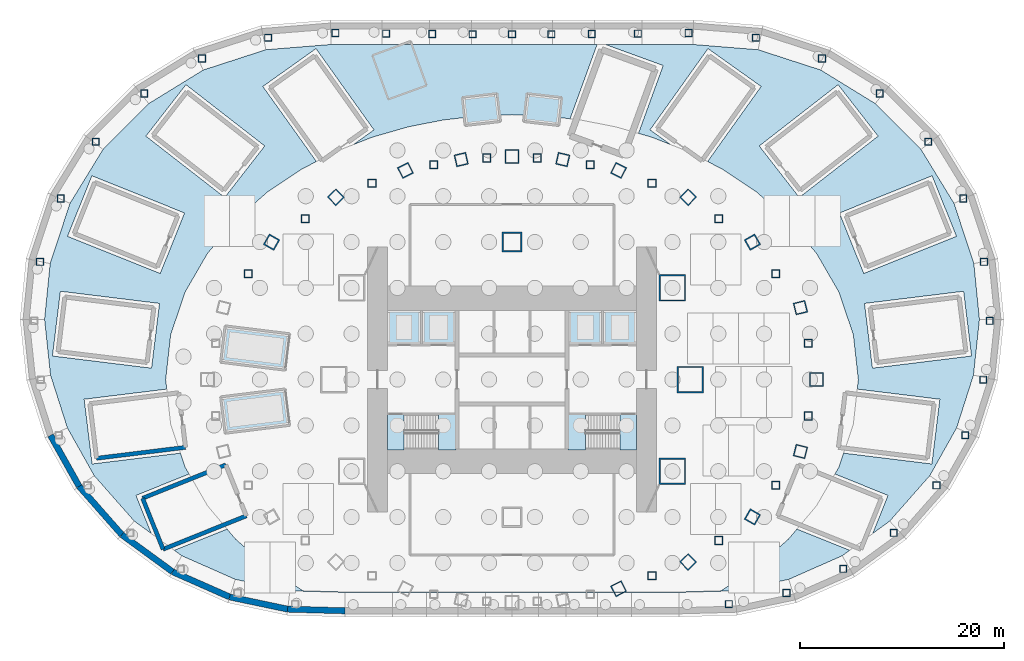
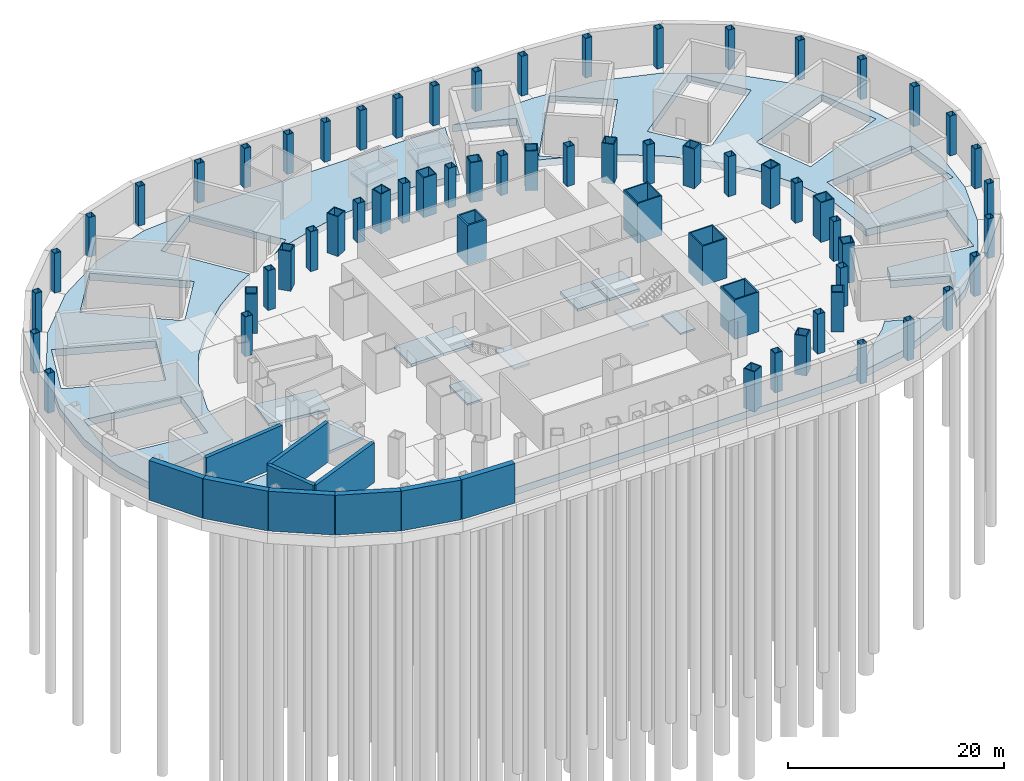
# One storey, part 3 of 11: 63 columns, 15 slabs, 10 walls, 2 elements without a shape of their own.
"""IFC4 building model written with IfcOpenShell, lengths in metres."""

from ifc_helpers import new_model, si_unit, direction, frame, frame_2d, origin, origin_2d, place, context, subcontext, project, spatial, polyline, rectangle, hollow_rectangle, outline, extrude, material, layer, layer_set, material_profile, profile_set, type_object, element, aggregate, save


model = new_model("IFC4")

# Units and contexts
model_context = context("Model", 3, precision=1e-05, world=origin(), true_north=direction((0.0, 1.0)))
body_context = subcontext(model_context, "Body", "Model", "MODEL_VIEW")
ifc_project = project(units=[si_unit("LENGTHUNIT", "METRE"), si_unit("AREAUNIT", "SQUARE_METRE"), si_unit("VOLUMEUNIT", "CUBIC_METRE"), si_unit("PLANEANGLEUNIT", "RADIAN"), si_unit("MASSUNIT", "GRAM", prefix="KILO")], contexts=[model_context])

# Site, building, storey
site_placement = place(None, origin())
site = spatial("IfcSite", under=ifc_project, at=site_placement, CompositionType="ELEMENT")
building_placement = place(site_placement, origin())
building = spatial("IfcBuilding", under=site, at=building_placement, Name="Lantaw Convention Tower", CompositionType="ELEMENT")
storey_placement = place(building_placement, frame((0.0, 0.0, -10.0)))
storey = spatial("IfcBuildingStorey", under=building, at=storey_placement, Name="B2", CompositionType="ELEMENT", Elevation=-10.0)

# Columns
ifc_material_1 = material(Name="Steel EN 10025-3 S460N", Category="steel")
ifc_material_profile_1 = material_profile(ifc_material_1, hollow_rectangle(XDim=2.0, YDim=2.0, WallThickness=0.169921875, at=origin_2d()), Name="BOX2000X170")
ifc_material_2 = material(Name="Concrete C60/75", Category="concrete")
ifc_material_profile_2 = material_profile(ifc_material_2, rectangle(XDim=1.659912109375, YDim=1.659912109375, at=origin_2d()), Name="Concrete fill of BOX2000X170")
ifc_profile_set_1 = profile_set([ifc_material_profile_1, ifc_material_profile_2], Name="Steel EN 10025-3 S460N")
column_type_1 = type_object("IfcColumnType", Name="Column MC BOX2000X170", PredefinedType="COLUMN", material=ifc_profile_set_1)
column_placement = place(storey_placement, frame((0.0, 13.5, 0.0), z_axis=(0.0, 0.0, 1.0), x_axis=(1.0, 0.0, 0.0)))
element("IfcColumn", 1, at=column_placement, inside=storey, type_object=column_type_1, Name="Mega column M3", PredefinedType="COLUMN", context=body_context, shape_type="SweptSolid", body=[
    extrude(hollow_rectangle(XDim=2.0, YDim=2.0, WallThickness=0.169921875, at=origin_2d()), origin(), (0.0, 0.0, 1.0), 4.5),
])
ifc_material_profile_3 = material_profile(ifc_material_1, hollow_rectangle(XDim=2.60009765625, YDim=2.60009765625, WallThickness=0.1298828125, at=origin_2d()), Name="BOX2600X130")
ifc_material_profile_4 = material_profile(ifc_material_2, rectangle(XDim=2.340087890625, YDim=2.340087890625, at=origin_2d()), Name="Concrete fill of BOX2600X130")
ifc_profile_set_2 = profile_set([ifc_material_profile_3, ifc_material_profile_4], Name="Steel EN 10025-3 S460N")
column_type_2 = type_object("IfcColumnType", Name="Column MC BOX2600X130", PredefinedType="COLUMN", material=ifc_profile_set_2)
for number, where, z_axis, x_axis, name in (
    (2, (17.5, 0.0, 0.0), (0.0, 0.0, 1.0), (1.0, 0.0, 0.0), "Mega column M1"),
    (3, (15.75, 9.0, 0.0), (0.0, 0.0, 1.0), (1.0, 0.0, 0.0), "Mega column M2"),
    (4, (15.75, -9.0, 0.0), (0.0, 0.0, 1.0), (1.0, 0.0, 0.0), "Mega column M8"),
):
    element("IfcColumn", number, at=place(storey_placement, frame(where, z_axis=z_axis, x_axis=x_axis)), inside=storey, type_object=column_type_2, Name=name, PredefinedType="COLUMN", context=body_context, shape_type="SweptSolid", body=[
        extrude(hollow_rectangle(XDim=2.60009765625, YDim=2.60009765625, WallThickness=0.1298828125, at=origin_2d()), origin(), (0.0, 0.0, 1.0), 4.5),
    ])
ifc_material_profile_5 = material_profile(ifc_material_1, hollow_rectangle(XDim=1.199951171875, YDim=1.199951171875, WallThickness=0.10009765625, at=origin_2d()), Name="BOX1200X100")
ifc_material_profile_6 = material_profile(ifc_material_2, rectangle(XDim=1.0, YDim=1.0, at=origin_2d()), Name="Concrete fill of BOX1200X100")
ifc_profile_set_3 = profile_set([ifc_material_profile_5, ifc_material_profile_6], Name="Steel EN 10025-3 S460N")
column_type_3 = type_object("IfcColumnType", Name="Column PC BOX1200X100", PredefinedType="COLUMN", material=ifc_profile_set_3)
for number, where, z_axis, x_axis, name in (
    (5, (28.31787109375, 7.060302734375, 0.0), (0.0, 0.0, 1.0), (0.970295726276, 0.2419218956, 0.0), "Perimeter column P2"),
    (6, (17.290771484375, 17.9052734375, 0.0), (0.0, 0.0, 1.0), (0.694658370459, 0.719339800339, 0.0), "Perimeter column P4"),
    (7, (10.462646484375, 20.533935546875, 0.0), (0.0, 0.0, 1.0), (0.45399049974, 0.891006524188, 0.0), "Perimeter column P5"),
    (8, (4.986328125, 21.59814453125, 0.0), (0.0, 0.0, 1.0), (0.224951054344, 0.974370064785, 0.0), "Perimeter column P6"),
    (9, (-4.986328125, 21.59814453125, 0.0), (0.0, 0.0, 1.0), (0.974370064785, 0.224951054344, 0.0), "Perimeter column P8"),
    (10, (-10.462646484375, 20.533935546875, 0.0), (0.0, 0.0, 1.0), (0.891006524188, 0.45399049974, 0.0), "Perimeter column P9"),
    (11, (-17.290771484375, 17.9052734375, 0.0), (0.0, 0.0, 1.0), (0.719339800339, 0.694658370459, 0.0), "Perimeter column P10"),
    (12, (10.462646484375, -20.533935546875, 0.0), (0.0, 0.0, 1.0), (0.891006524188, 0.45399049974, 0.0), "Perimeter column P21"),
    (13, (17.290771484375, -17.9052734375, 0.0), (0.0, 0.0, 1.0), (0.719339800339, 0.694658370459, 0.0), "Perimeter column P22"),
    (14, (28.31787109375, -7.060302734375, 0.0), (0.0, 0.0, 1.0), (0.2419218956, 0.970295726276, 0.0), "Perimeter column P24"),
):
    element("IfcColumn", number, at=place(storey_placement, frame(where, z_axis=z_axis, x_axis=x_axis)), inside=storey, type_object=column_type_3, Name=name, PredefinedType="COLUMN", context=body_context, shape_type="SweptSolid", body=[
        extrude(hollow_rectangle(XDim=1.199951171875, YDim=1.199951171875, WallThickness=0.10009765625, at=origin_2d()), origin(), (0.0, 0.0, 1.0), 4.5),
    ])
ifc_material_profile_7 = material_profile(ifc_material_1, hollow_rectangle(XDim=1.199951171875, YDim=1.199951171875, WallThickness=0.1201171875, at=origin_2d()), Name="BOX1200X120")
ifc_material_profile_8 = material_profile(ifc_material_2, rectangle(XDim=0.9599609375, YDim=0.9599609375, at=origin_2d()), Name="Concrete fill of BOX1200X120")
ifc_profile_set_4 = profile_set([ifc_material_profile_7, ifc_material_profile_8], Name="Steel EN 10025-3 S460N")
column_type_4 = type_object("IfcColumnType", Name="Column PC BOX1200X120", PredefinedType="COLUMN", material=ifc_profile_set_4)
for number, where, z_axis, x_axis, name in (
    (15, (23.60498046875, 13.488525390625, 0.0), (0.0, 0.0, 1.0), (0.86824298017, 0.496139221777, 0.0), "Perimeter column P3"),
    (16, (-23.60498046875, 13.488525390625, 0.0), (0.0, 0.0, 1.0), (0.496139221777, 0.86824298017, 0.0), "Perimeter column P11"),
    (17, (23.60498046875, -13.488525390625, 0.0), (0.0, 0.0, 1.0), (0.496139221777, 0.86824298017, 0.0), "Perimeter column P23"),
):
    element("IfcColumn", number, at=place(storey_placement, frame(where, z_axis=z_axis, x_axis=x_axis)), inside=storey, type_object=column_type_4, Name=name, PredefinedType="COLUMN", context=body_context, shape_type="SweptSolid", body=[
        extrude(hollow_rectangle(XDim=1.199951171875, YDim=1.199951171875, WallThickness=0.1201171875, at=origin_2d()), origin(), (0.0, 0.0, 1.0), 4.5),
    ])
ifc_material_profile_9 = material_profile(ifc_material_1, hollow_rectangle(XDim=1.39990234375, YDim=1.39990234375, WallThickness=0.10009765625, at=origin_2d()), Name="BOX1400X100")
ifc_material_profile_10 = material_profile(ifc_material_2, rectangle(XDim=1.199951171875, YDim=1.199951171875, at=origin_2d()), Name="Concrete fill of BOX1400X100")
ifc_profile_set_5 = profile_set([ifc_material_profile_9, ifc_material_profile_10], Name="Steel EN 10025-3 S460N")
column_type_5 = type_object("IfcColumnType", Name="Column PC BOX1400X100", PredefinedType="COLUMN", material=ifc_profile_set_5)
for number, where, z_axis, x_axis, name in (
    (18, (29.89990234375, 0.0, 0.0), (0.0, 0.0, 1.0), (1.0, 0.0, 0.0), "Perimeter column P1"),
    (19, (0.0, 21.89990234375, 0.0), (0.0, 0.0, 1.0), (1.0, 0.0, 0.0), "Perimeter column P7"),
):
    element("IfcColumn", number, at=place(storey_placement, frame(where, z_axis=z_axis, x_axis=x_axis)), inside=storey, type_object=column_type_5, Name=name, PredefinedType="COLUMN", context=body_context, shape_type="SweptSolid", body=[
        extrude(hollow_rectangle(XDim=1.39990234375, YDim=1.39990234375, WallThickness=0.10009765625, at=origin_2d()), origin(), (0.0, 0.0, 1.0), 4.5),
    ])
ifc_material_3 = material(Name="Steel ASTM A572 Grade 50", Category="steel")
ifc_material_profile_11 = material_profile(ifc_material_3, hollow_rectangle(XDim=0.800048828125, YDim=0.800048828125, WallThickness=0.050048828125, at=origin_2d()), Name="BOX800X50")
ifc_profile_set_6 = profile_set([ifc_material_profile_11], Name="Steel ASTM A572 Grade 50")
column_type_6 = type_object("IfcColumnType", Name="Column QC BOX800X50", PredefinedType="COLUMN", material=ifc_profile_set_6)
for number, where, z_axis, x_axis, name in (
    (20, (29.099365234375, 3.572998046875, 0.0), (0.0, 0.0, 1.0), (1.0, 0.0, 0.0), "Podium ring column Q1"),
    (21, (25.8779296875, 10.388427734375, 0.0), (0.0, 0.0, 1.0), (1.0, 0.0, 0.0), "Podium ring column Q2"),
    (22, (20.30859375, 15.794189453125, 0.0), (0.0, 0.0, 1.0), (1.0, 0.0, 0.0), "Podium ring column Q3"),
    (23, (13.745361328125, 19.270263671875, 0.0), (0.0, 0.0, 1.0), (1.0, 0.0, 0.0), "Podium ring column Q4"),
    (24, (7.671142578125, 21.076416015625, 0.0), (0.0, 0.0, 1.0), (1.0, 0.0, 0.0), "Podium ring column Q5"),
    (25, (2.47802734375, 21.75, 0.0), (0.0, 0.0, 1.0), (1.0, 0.0, 0.0), "Podium ring column Q6"),
    (26, (-2.47802734375, 21.75, 0.0), (0.0, 0.0, 1.0), (1.0, 0.0, 0.0), "Podium ring column Q7"),
    (27, (-7.671142578125, 21.076416015625, 0.0), (0.0, 0.0, 1.0), (1.0, 0.0, 0.0), "Podium ring column Q8"),
    (28, (-13.745361328125, 19.270263671875, 0.0), (0.0, 0.0, 1.0), (1.0, 0.0, 0.0), "Podium ring column Q9"),
    (29, (-20.30859375, 15.794189453125, 0.0), (0.0, 0.0, 1.0), (1.0, 0.0, 0.0), "Podium ring column Q10"),
    (30, (-25.8779296875, 10.388427734375, 0.0), (0.0, 0.0, 1.0), (1.0, 0.0, 0.0), "Podium ring column Q11"),
    (31, (13.745361328125, -19.270263671875, 0.0), (0.0, 0.0, 1.0), (1.0, 0.0, 0.0), "Podium ring column Q21"),
    (32, (20.308837890625, -15.794189453125, 0.0), (0.0, 0.0, 1.0), (1.0, 0.0, 0.0), "Podium ring column Q22"),
    (33, (25.8779296875, -10.388427734375, 0.0), (0.0, 0.0, 1.0), (1.0, 0.0, 0.0), "Podium ring column Q23"),
    (34, (29.099365234375, -3.572998046875, 0.0), (0.0, 0.0, 1.0), (1.0, 0.0, 0.0), "Podium ring column Q24"),
):
    element("IfcColumn", number, at=place(storey_placement, frame(where, z_axis=z_axis, x_axis=x_axis)), inside=storey, type_object=column_type_6, Name=name, PredefinedType="COLUMN", context=body_context, shape_type="SweptSolid", body=[
        extrude(hollow_rectangle(XDim=0.800048828125, YDim=0.800048828125, WallThickness=0.050048828125, at=origin_2d()), origin(), (0.0, 0.0, 1.0), 4.5),
    ])
ifc_material_profile_12 = material_profile(ifc_material_3, hollow_rectangle(XDim=0.699951171875, YDim=0.699951171875, WallThickness=0.0400390625, at=origin_2d()), Name="BOX700X40")
ifc_profile_set_7 = profile_set([ifc_material_profile_12], Name="Steel ASTM A572 Grade 50")
column_type_7 = type_object("IfcColumnType", Name="Column RC BOX700X40", PredefinedType="COLUMN", material=ifc_profile_set_7)
for number, where, z_axis, x_axis, name in (
    (35, (46.907958984375, 5.759521484375, 0.0), (0.0, 0.0, 1.0), (1.0, 0.0, 0.0), "Podium column B00"),
    (36, (44.29248046875, 17.78076171875, 0.0), (0.0, 0.0, 1.0), (1.0, 0.0, 0.0), "Podium column B01"),
    (37, (36.107666015625, 28.081298828125, 0.0), (0.0, 0.0, 1.0), (1.0, 0.0, 0.0), "Podium column B02"),
    (38, (23.940185546875, 33.562744140625, 0.0), (0.0, 0.0, 1.0), (1.0, 0.0, 0.0), "Podium column B03"),
    (39, (12.36279296875, 33.96630859375, 0.0), (0.0, 0.0, 1.0), (1.0, 0.0, 0.0), "Podium column B04"),
    (40, (3.86328125, 33.906982421875, 0.0), (0.0, 0.0, 1.0), (1.0, 0.0, 0.0), "Podium column B05"),
    (41, (-3.86328125, 33.906982421875, 0.0), (0.0, 0.0, 1.0), (1.0, 0.0, 0.0), "Podium column B06"),
    (42, (-12.36279296875, 33.96630859375, 0.0), (0.0, 0.0, 1.0), (1.0, 0.0, 0.0), "Podium column B07"),
    (43, (-23.940185546875, 33.562744140625, 0.0), (0.0, 0.0, 1.0), (1.0, 0.0, 0.0), "Podium column B08"),
    (44, (-36.107666015625, 28.081298828125, 0.0), (0.0, 0.0, 1.0), (1.0, 0.0, 0.0), "Podium column B09"),
    (45, (-44.29248046875, 17.78076171875, 0.0), (0.0, 0.0, 1.0), (1.0, 0.0, 0.0), "Podium column B10"),
    (46, (26.94287109375, -20.95361328125, 0.0), (0.0, 0.0, 1.0), (1.0, 0.0, 0.0), "Podium column B21"),
    (47, (37.486572265625, -15.048583984375, 0.0), (0.0, 0.0, 1.0), (1.0, 0.0, 0.0), "Podium column B22"),
    (48, (44.488525390625, -5.46240234375, 0.0), (0.0, 0.0, 1.0), (1.0, 0.0, 0.0), "Podium column B23"),
    (49, (46.2724609375, 0.0, 0.0), (0.0, 0.0, 1.0), (1.0, 0.0, 0.0), "Podium column R00"),
    (50, (46.342529296875, 11.554443359375, 0.0), (0.0, 0.0, 1.0), (1.0, 0.0, 0.0), "Podium column R01"),
    (51, (40.864013671875, 23.350830078125, 0.0), (0.0, 0.0, 1.0), (1.0, 0.0, 0.0), "Podium column R02"),
    (52, (30.43603515625, 31.517578125, 0.0), (0.0, 0.0, 1.0), (1.0, 0.0, 0.0), "Podium column R03"),
    (53, (17.333984375, 34.019775390625, 0.0), (0.0, 0.0, 1.0), (1.0, 0.0, 0.0), "Podium column R04"),
    (54, (7.8330078125, 33.92822265625, 0.0), (0.0, 0.0, 1.0), (1.0, 0.0, 0.0), "Podium column R05"),
    (55, (0.0, 33.89990234375, 0.0), (0.0, 0.0, 1.0), (1.0, 0.0, 0.0), "Podium column R06"),
    (56, (-7.8330078125, 33.92822265625, 0.0), (0.0, 0.0, 1.0), (1.0, 0.0, 0.0), "Podium column R07"),
    (57, (-17.333984375, 34.019775390625, 0.0), (0.0, 0.0, 1.0), (1.0, 0.0, 0.0), "Podium column R08"),
    (58, (-30.43603515625, 31.517578125, 0.0), (0.0, 0.0, 1.0), (1.0, 0.0, 0.0), "Podium column R09"),
    (59, (-40.864013671875, 23.350830078125, 0.0), (0.0, 0.0, 1.0), (1.0, 0.0, 0.0), "Podium column R10"),
    (60, (-46.342529296875, 11.554443359375, 0.0), (0.0, 0.0, 1.0), (1.0, 0.0, 0.0), "Podium column R11"),
    (61, (21.290771484375, -22.04736328125, 0.0), (0.0, 0.0, 1.0), (1.0, 0.0, 0.0), "Podium column R21"),
    (62, (32.5205078125, -18.5830078125, 0.0), (0.0, 0.0, 1.0), (1.0, 0.0, 0.0), "Podium column R22"),
    (63, (41.67236328125, -10.39013671875, 0.0), (0.0, 0.0, 1.0), (1.0, 0.0, 0.0), "Podium column R23"),
):
    element("IfcColumn", number, at=place(storey_placement, frame(where, z_axis=z_axis, x_axis=x_axis)), inside=storey, type_object=column_type_7, Name=name, PredefinedType="COLUMN", context=body_context, shape_type="SweptSolid", body=[
        extrude(hollow_rectangle(XDim=0.699951171875, YDim=0.699951171875, WallThickness=0.0400390625, at=origin_2d()), origin(), (0.0, 0.0, 1.0), 4.5),
    ])

# Slabs
ifc_material_4 = material(Name="Concrete C40/50", Category="concrete")
ifc_layer_1 = layer(ifc_material_4, 0.800048828125)
ifc_layer_set_1 = layer_set([ifc_layer_1], Name="Base slab 800")
slab_type_1 = type_object("IfcSlabType", Name="Base slab 800", PredefinedType="BASESLAB", material=ifc_layer_set_1)
slab_1_placement = place(storey_placement, frame((0.0, 0.0, -0.800048828125)))
element("IfcSlab", 64, at=slab_1_placement, inside=storey, type_object=slab_type_1, Name="Basement base slab", PredefinedType="BASESLAB", context=body_context, shape_type="SweptSolid", body=[
    extrude(outline(polyline([(-43.645263671875, -4.753662109375), (-41.017333984375, -9.434326171875), (-37.083984375, -13.8974609375), (-35.41162109375, -15.1171875), (-36.91552734375, -11.37109375), (-31.695068359375, -9.275390625), (-32.087158203125, -8.59765625), (-32.55419921875, -7.22119140625), (-41.22021484375, -8.28515625), (-42.000244140625, -1.932861328125), (-33.895263671875, -0.937744140625), (-34.0, 0.0), (-33.507080078125, 4.411376953125), (-32.087158203125, 8.59765625), (-29.89599609375, 12.38330078125), (-27.134765625, 15.666259765625), (-24.00048828125, 18.416259765625), (-20.6533203125, 20.6533203125), (-19.196533203125, 21.402099609375), (-24.454833984375, 28.773681640625), (-19.244384765625, 32.490234375), (-13.553466796875, 24.511962890625), (-15.59521484375, 23.0556640625), (-13.732177734375, 23.784912109375), (-10.266845703125, 24.786376953125), (-6.824951171875, 25.470703125), (-3.40576171875, 25.869140625), (0.0, 26.0), (3.40576171875, 25.869140625), (5.7001953125, 25.601806640625), (8.3564453125, 32.89990234375), (8.080322265625, 32.89990234375), (3.98779296875, 32.89990234375), (0.0, 32.89990234375), (-3.98779296875, 32.89990234375), (-8.080322265625, 32.89990234375), (-12.739013671875, 32.89990234375), (-17.749267578125, 32.89990234375), (-24.1650390625, 32.384765625), (-30.3134765625, 30.388671875), (-35.6640625, 27.09814453125), (-40.1572265625, 22.58935546875), (-43.39501953125, 17.302001953125), (-45.343017578125, 11.383056640625), (-45.888671875, 5.90087890625), (-45.30712890625, 0.435791015625), (-43.645263671875, -4.753662109375)]), holes=[polyline([(-28.205078125, 17.88134765625), (-24.27587890625, 22.933349609375), (-32.011962890625, 28.94970703125), (-35.94091796875, 23.897705078125), (-28.205078125, 17.88134765625)]), polyline([(-43.628662109375, 14.066162109375), (-34.533935546875, 10.4150390625), (-32.149658203125, 16.3544921875), (-41.244384765625, 20.00537109375), (-43.628662109375, 14.066162109375)]), polyline([(-44.33447265625, 8.667724609375), (-45.114501953125, 2.3154296875), (-35.387451171875, 1.12109375), (-34.607421875, 7.473388671875), (-44.33447265625, 8.667724609375)])]), origin(), (0.0, 0.0, 1.0), 0.800048828125),
])
slab_2_placement = place(storey_placement, frame((0.0, 0.0, -0.800048828125)))
element("IfcSlab", 65, at=slab_2_placement, inside=storey, type_object=slab_type_1, Name="Basement base slab", PredefinedType="BASESLAB", context=body_context, shape_type="SweptSolid", body=[
    extrude(outline(polyline([(32.55419921875, -7.22119140625), (32.087158203125, -8.59765625), (31.695068359375, -9.275390625), (36.91552734375, -11.37109375), (35.41162109375, -15.1171875), (37.083984375, -13.897216796875), (41.017333984375, -9.434326171875), (43.645263671875, -4.753662109375), (45.30712890625, 0.435791015625), (45.888671875, 5.90087890625), (45.343017578125, 11.383056640625), (43.39501953125, 17.302001953125), (40.1572265625, 22.58935546875), (35.6640625, 27.09814453125), (30.3134765625, 30.388671875), (24.1650390625, 32.384765625), (17.749267578125, 32.89990234375), (12.739013671875, 32.89990234375), (9.152587890625, 32.89990234375), (14.83935546875, 30.830078125), (12.413818359375, 24.166015625), (13.732177734375, 23.784912109375), (15.59521484375, 23.0556640625), (13.553466796875, 24.511962890625), (19.244384765625, 32.490234375), (24.454833984375, 28.773681640625), (19.196533203125, 21.402099609375), (20.6533203125, 20.6533203125), (24.00048828125, 18.416259765625), (27.134765625, 15.666259765625), (29.89599609375, 12.38330078125), (32.087158203125, 8.59765625), (33.507080078125, 4.411376953125), (34.0, 0.0), (33.895263671875, -0.937744140625), (42.000244140625, -1.932861328125), (41.22021484375, -8.28515625), (32.55419921875, -7.22119140625)]), holes=[polyline([(45.114501953125, 2.3154296875), (44.33447265625, 8.667724609375), (34.607421875, 7.473388671875), (35.387451171875, 1.12109375), (45.114501953125, 2.3154296875)]), polyline([(34.533935546875, 10.4150390625), (43.628662109375, 14.066162109375), (41.244384765625, 20.00537109375), (32.149658203125, 16.3544921875), (34.533935546875, 10.4150390625)]), polyline([(24.27587890625, 22.933349609375), (28.205078125, 17.88134765625), (35.94091796875, 23.897705078125), (32.011962890625, 28.94970703125), (24.27587890625, 22.933349609375)])]), origin(), (0.0, 0.0, 1.0), 0.800048828125),
])
slab_3_placement = place(storey_placement, frame((0.0, 0.0, -0.800048828125)))
element("IfcSlab", 66, at=slab_3_placement, inside=storey, type_object=slab_type_1, Name="Basement base slab", PredefinedType="BASESLAB", context=body_context, shape_type="SweptSolid", body=[
    extrude(outline(polyline([(-11.718994140625, -20.89990234375), (-8.371337890625, -20.89990234375), (-5.31005859375, -20.89990234375), (-2.62060546875, -20.89990234375), (0.0, -20.89990234375), (2.62060546875, -20.89990234375), (5.31005859375, -20.89990234375), (8.371337890625, -20.89990234375), (11.718994140625, -20.89990234375), (16.375732421875, -20.89990234375), (21.80712890625, -20.744873046875), (27.164306640625, -19.619140625), (32.420654296875, -17.299072265625), (33.159912109375, -16.759765625), (27.968017578125, -14.675537109375), (27.134765625, -15.666259765625), (24.00048828125, -18.416259765625), (20.6533203125, -20.6533203125), (20.499755859375, -20.732177734375), (16.375, -20.85009765625), (11.718994140625, -20.85009765625), (8.371337890625, -20.85009765625), (5.31005859375, -20.85009765625), (2.62060546875, -20.85009765625), (0.0, -20.85009765625), (-2.62060546875, -20.85009765625), (-5.31005859375, -20.85009765625), (-8.371337890625, -20.85009765625), (-11.718994140625, -20.85009765625), (-16.375, -20.85009765625), (-20.499755859375, -20.732177734375), (-20.6533203125, -20.6533203125), (-24.00048828125, -18.416259765625), (-27.134765625, -15.666259765625), (-27.968017578125, -14.67578125), (-33.15966796875, -16.759765625), (-32.420654296875, -17.299072265625), (-27.164306640625, -19.619140625), (-21.80712890625, -20.744873046875), (-16.375732421875, -20.89990234375), (-11.718994140625, -20.89990234375)])), origin(), (0.0, 0.0, 1.0), 0.800048828125),
])
ifc_layer_2 = layer(ifc_material_4, 0.300048828125)
ifc_layer_set_2 = layer_set([ifc_layer_2], Name="Lift pit slab 300")
slab_type_2 = type_object("IfcSlabType", Name="Lift pit slab 300", PredefinedType="BASESLAB", material=ifc_layer_set_2)
slab_4_placement = place(storey_placement, frame((0.0, 0.0, -2.10009765625)))
element("IfcSlab", 67, at=slab_4_placement, inside=storey, type_object=slab_type_2, Name="Lift pit FF1", PredefinedType="BASESLAB", context=body_context, shape_type="SweptSolid", body=[
    extrude(outline(polyline([(-12.199951171875, 3.5), (-9.0, 3.5), (-9.0, 6.800048828125), (-12.199951171875, 6.800048828125), (-12.199951171875, 3.5)])), origin(), (0.0, 0.0, 1.0), 0.300048828125),
])
slab_5_placement = place(storey_placement, frame((0.0, 0.0, -2.10009765625)))
element("IfcSlab", 68, at=slab_5_placement, inside=storey, type_object=slab_type_2, Name="Lift pit SV1", PredefinedType="BASESLAB", context=body_context, shape_type="SweptSolid", body=[
    extrude(outline(polyline([(-8.800048828125, 3.5), (-5.60009765625, 3.5), (-5.60009765625, 6.800048828125), (-8.800048828125, 6.800048828125), (-8.800048828125, 3.5)])), origin(), (0.0, 0.0, 1.0), 0.300048828125),
])
slab_6_placement = place(storey_placement, frame((0.0, 0.0, -2.10009765625)))
element("IfcSlab", 69, at=slab_6_placement, inside=storey, type_object=slab_type_2, Name="Lift pit FF2", PredefinedType="BASESLAB", context=body_context, shape_type="SweptSolid", body=[
    extrude(outline(polyline([(5.60009765625, 3.5), (8.800048828125, 3.5), (8.800048828125, 6.800048828125), (5.60009765625, 6.800048828125), (5.60009765625, 3.5)])), origin(), (0.0, 0.0, 1.0), 0.300048828125),
])
slab_7_placement = place(storey_placement, frame((0.0, 0.0, -2.10009765625)))
element("IfcSlab", 70, at=slab_7_placement, inside=storey, type_object=slab_type_2, Name="Lift pit SV2", PredefinedType="BASESLAB", context=body_context, shape_type="SweptSolid", body=[
    extrude(outline(polyline([(9.0, 3.5), (12.199951171875, 3.5), (12.199951171875, 6.800048828125), (9.0, 6.800048828125), (9.0, 3.5)])), origin(), (0.0, 0.0, 1.0), 0.300048828125),
])
slab_8_placement = place(storey_placement, frame((0.0, 0.0, 2.39990234375)))
element("IfcSlab", 71, at=slab_8_placement, inside=storey, type_object=slab_type_2, Name="Lift pit PL1", PredefinedType="BASESLAB", context=body_context, shape_type="SweptSolid", body=[
    extrude(outline(polyline([(4.5146484375, 25.050048828125), (4.80908203125, 27.63330078125), (1.5302734375, 28.0068359375), (1.236083984375, 25.423583984375), (4.5146484375, 25.050048828125)])), origin(), (0.0, 0.0, 1.0), 0.300048828125),
])
slab_9_placement = place(storey_placement, frame((0.0, 0.0, 2.39990234375)))
element("IfcSlab", 72, at=slab_9_placement, inside=storey, type_object=slab_type_2, Name="Lift pit PL2", PredefinedType="BASESLAB", context=body_context, shape_type="SweptSolid", body=[
    extrude(outline(polyline([(-1.236083984375, 25.423583984375), (-1.5302734375, 28.0068359375), (-4.80908203125, 27.63330078125), (-4.5146484375, 25.050048828125), (-1.236083984375, 25.423583984375)])), origin(), (0.0, 0.0, 1.0), 0.300048828125),
])
slab_10_placement = place(storey_placement, frame((0.0, 0.0, -2.10009765625)))
element("IfcSlab", 73, at=slab_10_placement, inside=storey, type_object=slab_type_2, Name="Lift pit CL1", PredefinedType="BASESLAB", context=body_context, shape_type="SweptSolid", body=[
    extrude(outline(polyline([(-21.926513671875, 4.405029296875), (-28.080322265625, 5.16064453125), (-28.49462890625, 1.785888671875), (-22.341064453125, 1.0302734375), (-21.926513671875, 4.405029296875)])), origin(), (0.0, 0.0, 1.0), 0.300048828125),
])
slab_11_placement = place(storey_placement, frame((0.0, 0.0, -2.10009765625)))
element("IfcSlab", 74, at=slab_11_placement, inside=storey, type_object=slab_type_2, Name="Lift pit CL2", PredefinedType="BASESLAB", context=body_context, shape_type="SweptSolid", body=[
    extrude(outline(polyline([(-22.341064453125, -1.0302734375), (-28.49462890625, -1.785888671875), (-28.080322265625, -5.16064453125), (-21.926513671875, -4.405029296875), (-22.341064453125, -1.0302734375)])), origin(), (0.0, 0.0, 1.0), 0.300048828125),
])

# Stair, slabs
ifc_material_5 = material(Name="Concrete C35/45", Category="concrete")
stair_type = type_object("IfcStairType", Name="Exit stair 1500 riser 173.08 in 2 flights", PredefinedType="HALF_TURN_STAIR", material=ifc_material_5)
stair_1_placement = place(storey_placement, origin())
stair_1 = element("IfcStair", 75, at=stair_1_placement, inside=storey, type_object=stair_type, Name="Exit stair S1 B2", PredefinedType="HALF_TURN_STAIR")
ifc_layer_3 = layer(ifc_material_5, 0.199951171875)
ifc_layer_set_3 = layer_set([ifc_layer_3], Name="Stair landing 200")
slab_type_3 = type_object("IfcSlabType", Name="Stair landing 200", PredefinedType="LANDING", material=ifc_layer_set_3)
slab_12_placement = place(storey_placement, frame((0.0, 0.0, -0.199951171875)))
slab_12 = element("IfcSlab", 76, at=slab_12_placement, type_object=slab_type_3, Name="S1 landing 1", PredefinedType="LANDING", context=body_context, shape_type="SweptSolid", body=[
    extrude(outline(polyline([(-12.199951171875, -6.89990234375), (-10.580078125, -6.89990234375), (-10.580078125, -3.39990234375), (-12.199951171875, -3.39990234375), (-12.199951171875, -6.89990234375)])), origin(), (0.0, 0.0, 1.0), 0.199951171875),
])
slab_13_placement = place(storey_placement, frame((0.0, 0.0, 2.050048828125)))
slab_13 = element("IfcSlab", 77, at=slab_13_placement, type_object=slab_type_3, Name="S1 landing 2", PredefinedType="LANDING", context=body_context, shape_type="SweptSolid", body=[
    extrude(outline(polyline([(-7.219970703125, -6.89990234375), (-5.5, -6.89990234375), (-5.5, -3.39990234375), (-7.219970703125, -3.39990234375), (-7.219970703125, -6.89990234375)])), origin(), (0.0, 0.0, 1.0), 0.199951171875),
])
aggregate(stair_1, [slab_12, slab_13])

stair_2_placement = place(storey_placement, origin())
stair_2 = element("IfcStair", 78, at=stair_2_placement, inside=storey, type_object=stair_type, Name="Exit stair S2 B2", PredefinedType="HALF_TURN_STAIR")
slab_14_placement = place(storey_placement, frame((0.0, 0.0, -0.199951171875)))
slab_14 = element("IfcSlab", 79, at=slab_14_placement, type_object=slab_type_3, Name="S2 landing 1", PredefinedType="LANDING", context=body_context, shape_type="SweptSolid", body=[
    extrude(outline(polyline([(10.580078125, -6.89990234375), (12.199951171875, -6.89990234375), (12.199951171875, -3.39990234375), (10.580078125, -3.39990234375), (10.580078125, -6.89990234375)])), origin(), (0.0, 0.0, 1.0), 0.199951171875),
])
slab_15_placement = place(storey_placement, frame((0.0, 0.0, 2.050048828125)))
slab_15 = element("IfcSlab", 80, at=slab_15_placement, type_object=slab_type_3, Name="S2 landing 2", PredefinedType="LANDING", context=body_context, shape_type="SweptSolid", body=[
    extrude(outline(polyline([(5.5, -6.89990234375), (7.219970703125, -6.89990234375), (7.219970703125, -3.39990234375), (5.5, -3.39990234375), (5.5, -6.89990234375)])), origin(), (0.0, 0.0, 1.0), 0.199951171875),
])
aggregate(stair_2, [slab_14, slab_15])

# Walls
ifc_layer_4 = layer(ifc_material_4, 0.60009765625)
ifc_layer_set_4 = layer_set([ifc_layer_4], Name="Basement wall 600")
wall_type_1 = type_object("IfcWallType", Name="Basement wall 600", PredefinedType="SOLIDWALL", material=ifc_layer_set_4)
wall_1_placement = place(storey_placement, frame((-45.303955078125, -5.47607421875, 0.0), z_axis=(0.0, 0.0, 1.0), x_axis=(0.489552343526, -0.871973911851, 0.0)))
element("IfcWall", 81, at=wall_1_placement, inside=storey, type_object=wall_type_1, Name="Basement retaining wall 26", PredefinedType="SOLIDWALL", context=body_context, shape_type="SweptSolid", body=[
    extrude(rectangle(XDim=5.740478515625, YDim=0.60009765625, at=frame_2d((2.8701171875, 0.0))), origin(), (0.0, 0.0, 1.0), 4.5),
])
wall_2_placement = place(storey_placement, frame((-42.49365234375, -10.481689453125, 0.0), z_axis=(0.0, 0.0, 1.0), x_axis=(0.66120355744, -0.75020654198, 0.0)))
element("IfcWall", 82, at=wall_2_placement, inside=storey, type_object=wall_type_1, Name="Basement retaining wall 27", PredefinedType="SOLIDWALL", context=body_context, shape_type="SweptSolid", body=[
    extrude(rectangle(XDim=6.33642578125, YDim=0.60009765625, at=frame_2d((3.168212890625, 0.0))), origin(), (0.0, 0.0, 1.0), 4.5),
])
wall_3_placement = place(storey_placement, frame((-38.303955078125, -15.2353515625, 0.0), z_axis=(0.0, 0.0, 1.0), x_axis=(0.807901048768, -0.589318161437, 0.0)))
element("IfcWall", 83, at=wall_3_placement, inside=storey, type_object=wall_type_1, Name="Basement retaining wall 28", PredefinedType="SOLIDWALL", context=body_context, shape_type="SweptSolid", body=[
    extrude(rectangle(XDim=6.1630859375, YDim=0.60009765625, at=frame_2d((3.08154296875, 0.0))), origin(), (0.0, 0.0, 1.0), 4.5),
])
wall_4_placement = place(storey_placement, frame((-33.32470703125, -18.867431640625, 0.0), z_axis=(0.0, 0.0, 1.0), x_axis=(0.914848548113, -0.403797144636, 0.0)))
element("IfcWall", 84, at=wall_4_placement, inside=storey, type_object=wall_type_1, Name="Basement retaining wall 29", PredefinedType="SOLIDWALL", context=body_context, shape_type="SweptSolid", body=[
    extrude(rectangle(XDim=6.127685546875, YDim=0.60009765625, at=frame_2d((3.06396484375, 0.0))), origin(), (0.0, 0.0, 1.0), 4.5),
])
wall_5_placement = place(storey_placement, frame((-27.71875, -21.341796875, 0.0), z_axis=(0.0, 0.0, 1.0), x_axis=(0.978621781645, -0.205668199998, 0.0)))
element("IfcWall", 85, at=wall_5_placement, inside=storey, type_object=wall_type_1, Name="Basement retaining wall 30", PredefinedType="SOLIDWALL", context=body_context, shape_type="SweptSolid", body=[
    extrude(rectangle(XDim=5.82373046875, YDim=0.60009765625, at=frame_2d((2.911865234375, 0.0))), origin(), (0.0, 0.0, 1.0), 4.5),
])
wall_6_placement = place(storey_placement, frame((-22.01953125, -22.53955078125, 0.0), z_axis=(0.0, 0.0, 1.0), x_axis=(0.999592688558, -0.028538692699, 0.0)))
element("IfcWall", 86, at=wall_6_placement, inside=storey, type_object=wall_type_1, Name="Basement retaining wall 31", PredefinedType="SOLIDWALL", context=body_context, shape_type="SweptSolid", body=[
    extrude(rectangle(XDim=5.620361328125, YDim=0.60009765625, at=frame_2d((2.81005859375, 0.0))), origin(), (0.0, 0.0, 1.0), 4.5),
])
ifc_material_6 = material(Name="Concrete C40/50, stair core", Category="concrete")
ifc_layer_5 = layer(ifc_material_6, 0.39990234375)
ifc_layer_set_5 = layer_set([ifc_layer_5], Name="Stair core wall 400 EI 120")
wall_type_2 = type_object("IfcWallType", Name="Stair core wall 400 EI 120", PredefinedType="SHEAR", material=ifc_layer_set_5)
for number, where, z_axis, x_axis, name in (
    (87, (-40.784912109375, -7.72802734375, 0.0), (0.0, 0.0, 1.0), (0.992545280606, 0.121876437212, 0.0), "Stair core wall 400"),
    (88, (-28.0986328125, -8.37060546875, 0.0), (0.0, 0.0, 1.0), (-0.92801678004, -0.372538395288, 0.0), "Stair core wall 400"),
):
    element("IfcWall", number, at=place(storey_placement, frame(where, z_axis=z_axis, x_axis=x_axis)), inside=storey, type_object=wall_type_2, Name=name, PredefinedType="SHEAR", context=body_context, shape_type="SweptSolid", body=[
        extrude(rectangle(XDim=8.800048828125, YDim=0.39990234375, at=frame_2d((4.39990234375, 0.0))), origin(), (0.0, 0.0, 1.0), 4.5),
    ])
wall_7_placement = place(storey_placement, frame((-36.26513671875, -11.64892578125, 0.0), z_axis=(0.0, 0.0, 1.0), x_axis=(0.372544066459, -0.928014503414, 0.0)))
element("IfcWall", 89, at=wall_7_placement, inside=storey, type_object=wall_type_2, Name="Stair core wall 400", PredefinedType="SHEAR", context=body_context, shape_type="SweptSolid", body=[
    extrude(rectangle(XDim=5.39990234375, YDim=0.39990234375, at=frame_2d((2.699951171875, 0.0))), origin(), (0.0, 0.0, 1.0), 4.5),
])
wall_8_placement = place(storey_placement, frame((-34.25341796875, -16.66015625, 0.0), z_axis=(0.0, 0.0, 1.0), x_axis=(0.92801678004, 0.372538395288, 0.0)))
element("IfcWall", 90, at=wall_8_placement, inside=storey, type_object=wall_type_2, Name="Stair core wall 400", PredefinedType="SHEAR", context=body_context, shape_type="SweptSolid", body=[
    extrude(rectangle(XDim=8.800048828125, YDim=0.39990234375, at=frame_2d((4.39990234375, 0.0))), origin(), (0.0, 0.0, 1.0), 4.5),
])

save(model, "model.ifc")
